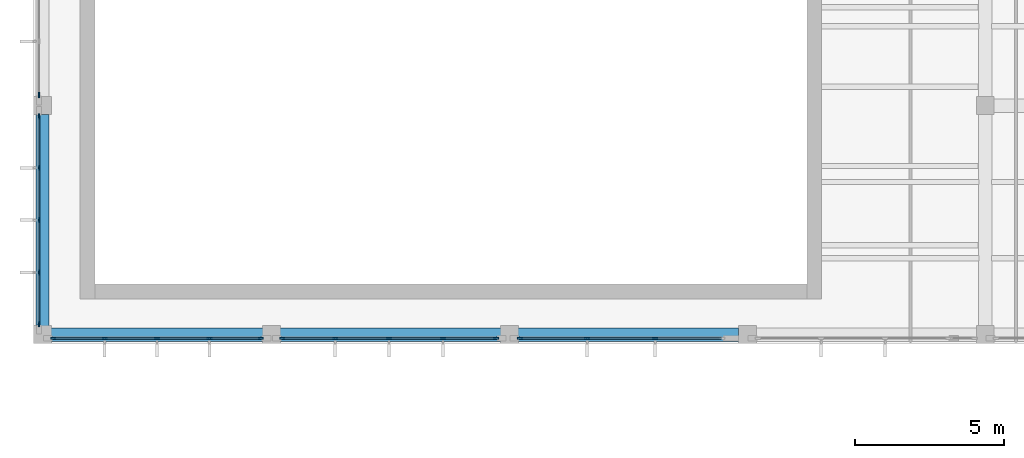
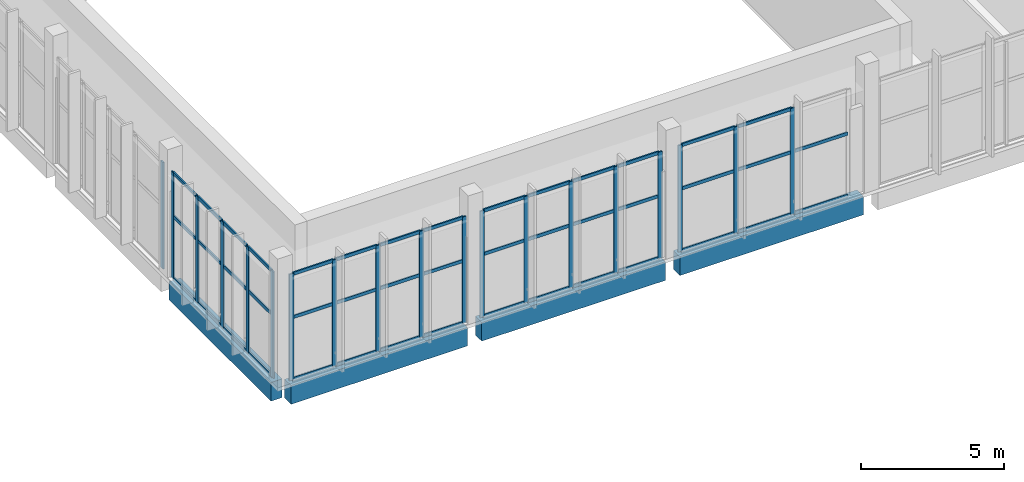
# One storey, part 4 of 112: 63 members, 4 beams, 5 elements without a shape of their own.
"""IFC4 building model written with IfcOpenShell, lengths in metres."""

from ifc_helpers import new_model, si_unit, direction, frame, origin, origin_2d, place, context, subcontext, project, spatial, rectangle, extrude, material, layer, layer_set, material_profile, profile_set, type_object, element, aggregate, save


model = new_model("IFC4")

# Units and contexts
model_context = context("Model", 3, precision=1e-05, world=origin(), true_north=direction((0.0, 1.0)))
body_context = subcontext(model_context, "Body", "Model", "MODEL_VIEW")
ifc_project = project(units=[si_unit("LENGTHUNIT", "METRE"), si_unit("AREAUNIT", "SQUARE_METRE"), si_unit("VOLUMEUNIT", "CUBIC_METRE"), si_unit("PLANEANGLEUNIT", "RADIAN"), si_unit("MASSUNIT", "GRAM", prefix="KILO")], contexts=[model_context])

# Site, building, storey
site_placement = place(None, origin())
site = spatial("IfcSite", under=ifc_project, at=site_placement, CompositionType="ELEMENT")
building_placement = place(site_placement, origin())
building = spatial("IfcBuilding", under=site, at=building_placement, Name="Lunette Opera House", CompositionType="ELEMENT")
storey_placement = place(building_placement, frame((0.0, 0.0, 6.0)))
storey = spatial("IfcBuildingStorey", under=building, at=storey_placement, Name="L01", CompositionType="ELEMENT", Elevation=6.0)

# Curtain wall, member
ifc_material_1 = material(Name="Aluminium", Category="aluminium")
ifc_layer = layer(ifc_material_1, 0.179931640625)
ifc_layer_set = layer_set([ifc_layer], Name="Aluminium")
curtain_wall_type = type_object("IfcCurtainWallType", Name="SUN FACE CURTAIN WALL", PredefinedType="NOTDEFINED", material=ifc_layer_set)
curtain_wall_1_placement = place(storey_placement, origin())
curtain_wall_1 = element("IfcCurtainWall", 1, at=curtain_wall_1_placement, inside=storey, type_object=curtain_wall_type, Name="Sun Face Curtain Wall F17 L01", PredefinedType="NOTDEFINED")
ifc_material_2 = material(Name="Aluminium", Category="aluminium")
ifc_material_profile_1 = material_profile(ifc_material_2, rectangle(XDim=0.06005859375, YDim=0.179931640625, at=origin_2d()), Name="MULLION 60 X 180")
ifc_profile_set_1 = profile_set([ifc_material_profile_1], Name="Aluminium")
member_type_1 = type_object("IfcMemberType", Name="MULLION 60 X 180", PredefinedType="MULLION", material=ifc_profile_set_1)
member_1_placement = place(storey_placement, frame((8.181884765625, 72.360107421875, 0.0), z_axis=(0.0, 0.0, 1.0), x_axis=(1.0, 0.0, 0.0)))
member_1 = element("IfcMember", 2, at=member_1_placement, type_object=member_type_1, Name="RW-X2019 mullion 5", PredefinedType="MULLION", context=body_context, shape_type="SweptSolid", body=[
    extrude(rectangle(XDim=0.06005859375, YDim=0.179931640625, at=origin_2d()), origin(), (0.0, 0.0, 1.0), 4.550048828125),
])
aggregate(curtain_wall_1, [member_1])

# Curtain wall, members
curtain_wall_2_placement = place(storey_placement, origin())
curtain_wall_2 = element("IfcCurtainWall", 3, at=curtain_wall_2_placement, inside=storey, type_object=curtain_wall_type, Name="Sun Face Curtain Wall F18 L01", PredefinedType="NOTDEFINED")
member_2_placement = place(storey_placement, frame((8.181884765625, 71.639892578125, 0.0), z_axis=(0.0, 0.0, 1.0), x_axis=(1.0, 0.0, 0.0)))
member_2 = element("IfcMember", 4, at=member_2_placement, type_object=member_type_1, Name="RW-X2020 mullion 1", PredefinedType="MULLION", context=body_context, shape_type="SweptSolid", body=[
    extrude(rectangle(XDim=0.06005859375, YDim=0.179931640625, at=origin_2d()), origin(), (0.0, 0.0, 1.0), 4.550048828125),
])
member_3_placement = place(storey_placement, frame((8.181884765625, 69.909912109375, 0.0), z_axis=(0.0, 0.0, 1.0), x_axis=(1.0, 0.0, 0.0)))
member_3 = element("IfcMember", 5, at=member_3_placement, type_object=member_type_1, Name="RW-X2020 mullion 2", PredefinedType="MULLION", context=body_context, shape_type="SweptSolid", body=[
    extrude(rectangle(XDim=0.06005859375, YDim=0.179931640625, at=origin_2d()), origin(), (0.0, 0.0, 1.0), 4.550048828125),
])
member_4_placement = place(storey_placement, frame((8.181884765625, 68.14990234375, 0.0), z_axis=(0.0, 0.0, 1.0), x_axis=(1.0, 0.0, 0.0)))
member_4 = element("IfcMember", 6, at=member_4_placement, type_object=member_type_1, Name="RW-X2020 mullion 3", PredefinedType="MULLION", context=body_context, shape_type="SweptSolid", body=[
    extrude(rectangle(XDim=0.06005859375, YDim=0.179931640625, at=origin_2d()), origin(), (0.0, 0.0, 1.0), 4.550048828125),
])
member_5_placement = place(storey_placement, frame((8.181884765625, 66.389892578125, 0.0), z_axis=(0.0, 0.0, 1.0), x_axis=(1.0, 0.0, 0.0)))
member_5 = element("IfcMember", 7, at=member_5_placement, type_object=member_type_1, Name="RW-X2020 mullion 4", PredefinedType="MULLION", context=body_context, shape_type="SweptSolid", body=[
    extrude(rectangle(XDim=0.06005859375, YDim=0.179931640625, at=origin_2d()), origin(), (0.0, 0.0, 1.0), 4.550048828125),
])
member_6_placement = place(storey_placement, frame((8.181884765625, 64.659912109375, 0.0), z_axis=(0.0, 0.0, 1.0), x_axis=(1.0, 0.0, 0.0)))
member_6 = element("IfcMember", 8, at=member_6_placement, type_object=member_type_1, Name="RW-X2020 mullion 5", PredefinedType="MULLION", context=body_context, shape_type="SweptSolid", body=[
    extrude(rectangle(XDim=0.06005859375, YDim=0.179931640625, at=origin_2d()), origin(), (0.0, 0.0, 1.0), 4.550048828125),
])

curtain_wall_3_placement = place(storey_placement, origin())
curtain_wall_3 = element("IfcCurtainWall", 9, at=curtain_wall_3_placement, inside=storey, type_object=curtain_wall_type, Name="Sun Face Curtain Wall F19 L01", PredefinedType="NOTDEFINED")
member_7_placement = place(storey_placement, frame((8.659912109375, 64.18310546875, 0.0), z_axis=(0.0, 0.0, 1.0), x_axis=(0.0, 1.0, 0.0)))
member_7 = element("IfcMember", 10, at=member_7_placement, type_object=member_type_1, Name="RW-X2021 mullion 1", PredefinedType="MULLION", context=body_context, shape_type="SweptSolid", body=[
    extrude(rectangle(XDim=0.06005859375, YDim=0.179931640625, at=origin_2d()), origin(), (0.0, 0.0, 1.0), 4.550048828125),
])
member_8_placement = place(storey_placement, frame((10.389892578125, 64.18310546875, 0.0), z_axis=(0.0, 0.0, 1.0), x_axis=(0.0, 1.0, 0.0)))
member_8 = element("IfcMember", 11, at=member_8_placement, type_object=member_type_1, Name="RW-X2021 mullion 2", PredefinedType="MULLION", context=body_context, shape_type="SweptSolid", body=[
    extrude(rectangle(XDim=0.06005859375, YDim=0.179931640625, at=origin_2d()), origin(), (0.0, 0.0, 1.0), 4.550048828125),
])
member_9_placement = place(storey_placement, frame((12.14990234375, 64.18310546875, 0.0), z_axis=(0.0, 0.0, 1.0), x_axis=(0.0, 1.0, 0.0)))
member_9 = element("IfcMember", 12, at=member_9_placement, type_object=member_type_1, Name="RW-X2021 mullion 3", PredefinedType="MULLION", context=body_context, shape_type="SweptSolid", body=[
    extrude(rectangle(XDim=0.06005859375, YDim=0.179931640625, at=origin_2d()), origin(), (0.0, 0.0, 1.0), 4.550048828125),
])
member_10_placement = place(storey_placement, frame((13.909912109375, 64.18310546875, 0.0), z_axis=(0.0, 0.0, 1.0), x_axis=(0.0, 1.0, 0.0)))
member_10 = element("IfcMember", 13, at=member_10_placement, type_object=member_type_1, Name="RW-X2021 mullion 4", PredefinedType="MULLION", context=body_context, shape_type="SweptSolid", body=[
    extrude(rectangle(XDim=0.06005859375, YDim=0.179931640625, at=origin_2d()), origin(), (0.0, 0.0, 1.0), 4.550048828125),
])
member_11_placement = place(storey_placement, frame((15.639892578125, 64.18310546875, 0.0), z_axis=(0.0, 0.0, 1.0), x_axis=(0.0, 1.0, 0.0)))
member_11 = element("IfcMember", 14, at=member_11_placement, type_object=member_type_1, Name="RW-X2021 mullion 5", PredefinedType="MULLION", context=body_context, shape_type="SweptSolid", body=[
    extrude(rectangle(XDim=0.06005859375, YDim=0.179931640625, at=origin_2d()), origin(), (0.0, 0.0, 1.0), 4.550048828125),
])

curtain_wall_4_placement = place(storey_placement, origin())
curtain_wall_4 = element("IfcCurtainWall", 15, at=curtain_wall_4_placement, inside=storey, type_object=curtain_wall_type, Name="Sun Face Curtain Wall F20 L01", PredefinedType="NOTDEFINED")
member_12_placement = place(storey_placement, frame((16.360107421875, 64.18310546875, 0.0), z_axis=(0.0, 0.0, 1.0), x_axis=(0.0, 1.0, 0.0)))
member_12 = element("IfcMember", 16, at=member_12_placement, type_object=member_type_1, Name="RW-X2022 mullion 1", PredefinedType="MULLION", context=body_context, shape_type="SweptSolid", body=[
    extrude(rectangle(XDim=0.06005859375, YDim=0.179931640625, at=origin_2d()), origin(), (0.0, 0.0, 1.0), 4.550048828125),
])
member_13_placement = place(storey_placement, frame((18.141845703125, 64.18310546875, 0.0), z_axis=(0.0, 0.0, 1.0), x_axis=(0.0, 1.0, 0.0)))
member_13 = element("IfcMember", 17, at=member_13_placement, type_object=member_type_1, Name="RW-X2022 mullion 2", PredefinedType="MULLION", context=body_context, shape_type="SweptSolid", body=[
    extrude(rectangle(XDim=0.06005859375, YDim=0.179931640625, at=origin_2d()), origin(), (0.0, 0.0, 1.0), 4.550048828125),
])
member_14_placement = place(storey_placement, frame((19.95361328125, 64.18310546875, 0.0), z_axis=(0.0, 0.0, 1.0), x_axis=(0.0, 1.0, 0.0)))
member_14 = element("IfcMember", 18, at=member_14_placement, type_object=member_type_1, Name="RW-X2022 mullion 3", PredefinedType="MULLION", context=body_context, shape_type="SweptSolid", body=[
    extrude(rectangle(XDim=0.06005859375, YDim=0.179931640625, at=origin_2d()), origin(), (0.0, 0.0, 1.0), 4.550048828125),
])
member_15_placement = place(storey_placement, frame((21.76513671875, 64.18310546875, 0.0), z_axis=(0.0, 0.0, 1.0), x_axis=(0.0, 1.0, 0.0)))
member_15 = element("IfcMember", 19, at=member_15_placement, type_object=member_type_1, Name="RW-X2022 mullion 4", PredefinedType="MULLION", context=body_context, shape_type="SweptSolid", body=[
    extrude(rectangle(XDim=0.06005859375, YDim=0.179931640625, at=origin_2d()), origin(), (0.0, 0.0, 1.0), 4.550048828125),
])
member_16_placement = place(storey_placement, frame((23.547119140625, 64.18310546875, 0.0), z_axis=(0.0, 0.0, 1.0), x_axis=(0.0, 1.0, 0.0)))
member_16 = element("IfcMember", 20, at=member_16_placement, type_object=member_type_1, Name="RW-X2022 mullion 5", PredefinedType="MULLION", context=body_context, shape_type="SweptSolid", body=[
    extrude(rectangle(XDim=0.06005859375, YDim=0.179931640625, at=origin_2d()), origin(), (0.0, 0.0, 1.0), 4.550048828125),
])

curtain_wall_5_placement = place(storey_placement, origin())
curtain_wall_5 = element("IfcCurtainWall", 21, at=curtain_wall_5_placement, inside=storey, type_object=curtain_wall_type, Name="Sun Face Curtain Wall F21 L01", PredefinedType="NOTDEFINED")
member_17_placement = place(storey_placement, frame((24.360107421875, 64.18310546875, 0.0), z_axis=(0.0, 0.0, 1.0), x_axis=(0.0, 1.0, 0.0)))
member_17 = element("IfcMember", 22, at=member_17_placement, type_object=member_type_1, Name="RW-X2023 mullion 1", PredefinedType="MULLION", context=body_context, shape_type="SweptSolid", body=[
    extrude(rectangle(XDim=0.06005859375, YDim=0.179931640625, at=origin_2d()), origin(), (0.0, 0.0, 1.0), 4.550048828125),
])
member_18_placement = place(storey_placement, frame((26.6142578125, 64.18310546875, 0.0), z_axis=(0.0, 0.0, 1.0), x_axis=(0.0, 1.0, 0.0)))
member_18 = element("IfcMember", 23, at=member_18_placement, type_object=member_type_1, Name="RW-X2023 mullion 2", PredefinedType="MULLION", context=body_context, shape_type="SweptSolid", body=[
    extrude(rectangle(XDim=0.06005859375, YDim=0.179931640625, at=origin_2d()), origin(), (0.0, 0.0, 1.0), 4.550048828125),
])
member_19_placement = place(storey_placement, frame((28.898681640625, 64.18310546875, 0.0), z_axis=(0.0, 0.0, 1.0), x_axis=(0.0, 1.0, 0.0)))
member_19 = element("IfcMember", 24, at=member_19_placement, type_object=member_type_1, Name="RW-X2023 mullion 3", PredefinedType="MULLION", context=body_context, shape_type="SweptSolid", body=[
    extrude(rectangle(XDim=0.06005859375, YDim=0.179931640625, at=origin_2d()), origin(), (0.0, 0.0, 1.0), 4.550048828125),
])

# Beams
ifc_material_3 = material(Name="Concrete C35/45", Category="concrete")
ifc_material_profile_2 = material_profile(ifc_material_3, rectangle(XDim=0.449951171875, YDim=0.800048828125, at=origin_2d()), Name="RC BEAM 450X800")
ifc_profile_set_2 = profile_set([ifc_material_profile_2], Name="Concrete C35/45")
beam_type = type_object("IfcBeamType", Name="RC BEAM 450X800", PredefinedType="BEAM", material=ifc_profile_set_2)
for number, where, z_axis, x_axis, name in (
    (25, (8.300048828125, 64.590087890625, -0.550048828125), (0.0, 1.0, 0.0), (-1.0, 0.0, 0.0), "beam-RW-L01-L01-GY00"),
    (26, (8.590087890625, 64.300048828125, -0.550048828125), (1.0, 0.0, 0.0), (0.0, 1.0, 0.0), "beam-RW-L01-L01-GX00"),
):
    element("IfcBeam", number, at=place(storey_placement, frame(where, z_axis=z_axis, x_axis=x_axis)), inside=storey, type_object=beam_type, Name=name, PredefinedType="BEAM", context=body_context, shape_type="SweptSolid", body=[
        extrude(rectangle(XDim=0.449951171875, YDim=0.800048828125, at=origin_2d()), origin(), (0.0, 0.0, 1.0), 7.119873046875),
    ])
for number, where, z_axis, x_axis, name in (
    (27, (16.2900390625, 64.300048828125, -0.550048828125), (1.0, 0.0, 0.0), (0.0, 1.0, 0.0), "beam-RW-L01-L01-GX10"),
    (28, (24.2900390625, 64.300048828125, -0.550048828125), (1.0, 0.0, 0.0), (0.0, 1.0, 0.0), "beam-RW-L01-L01-GX20"),
):
    element("IfcBeam", number, at=place(storey_placement, frame(where, z_axis=z_axis, x_axis=x_axis)), inside=storey, type_object=beam_type, Name=name, PredefinedType="BEAM", context=body_context, shape_type="SweptSolid", body=[
        extrude(rectangle(XDim=0.449951171875, YDim=0.800048828125, at=origin_2d()), origin(), (0.0, 0.0, 1.0), 7.419921875),
    ])

# Member
ifc_material_4 = material(Name="Aluminium", Category="aluminium")
ifc_material_profile_3 = material_profile(ifc_material_4, rectangle(XDim=0.06005859375, YDim=0.139892578125, at=origin_2d()), Name="TRANSOM 60 X 140")
ifc_profile_set_3 = profile_set([ifc_material_profile_3], Name="Aluminium")
member_type_2 = type_object("IfcMemberType", Name="TRANSOM 60 X 140", PredefinedType="USERDEFINED", material=ifc_profile_set_3)
member_20_placement = place(storey_placement, frame((8.181884765625, 71.610107421875, 0.030029296875), z_axis=(0.0, -1.0, 0.0), x_axis=(1.0, 0.0, 0.0)))
member_20 = element("IfcMember", 29, at=member_20_placement, type_object=member_type_2, Name="RW-X2020 transom 1.1", ObjectType="TRANSOM", PredefinedType="USERDEFINED", context=body_context, shape_type="SweptSolid", body=[
    extrude(rectangle(XDim=0.06005859375, YDim=0.139892578125, at=origin_2d()), origin(), (0.0, 0.0, 1.0), 1.670166015625),
])

member_21_placement = place(storey_placement, frame((8.181884765625, 71.610107421875, 2.675048828125), z_axis=(0.0, -1.0, 0.0), x_axis=(1.0, 0.0, 0.0)))
member_21 = element("IfcMember", 30, at=member_21_placement, type_object=member_type_2, Name="RW-X2020 transom 1.2", ObjectType="TRANSOM", PredefinedType="USERDEFINED", context=body_context, shape_type="SweptSolid", body=[
    extrude(rectangle(XDim=0.06005859375, YDim=0.139892578125, at=origin_2d()), origin(), (0.0, 0.0, 1.0), 1.670166015625),
])

member_22_placement = place(storey_placement, frame((8.181884765625, 71.610107421875, 4.52001953125), z_axis=(0.0, -1.0, 0.0), x_axis=(1.0, 0.0, 0.0)))
member_22 = element("IfcMember", 31, at=member_22_placement, type_object=member_type_2, Name="RW-X2020 transom 1.3", ObjectType="TRANSOM", PredefinedType="USERDEFINED", context=body_context, shape_type="SweptSolid", body=[
    extrude(rectangle(XDim=0.06005859375, YDim=0.139892578125, at=origin_2d()), origin(), (0.0, 0.0, 1.0), 1.670166015625),
])

member_23_placement = place(storey_placement, frame((8.181884765625, 69.8798828125, 0.030029296875), z_axis=(0.0, -1.0, 0.0), x_axis=(1.0, 0.0, 0.0)))
member_23 = element("IfcMember", 32, at=member_23_placement, type_object=member_type_2, Name="RW-X2020 transom 2.1", ObjectType="TRANSOM", PredefinedType="USERDEFINED", context=body_context, shape_type="SweptSolid", body=[
    extrude(rectangle(XDim=0.06005859375, YDim=0.139892578125, at=origin_2d()), origin(), (0.0, 0.0, 1.0), 1.699951171875),
])

member_24_placement = place(storey_placement, frame((8.181884765625, 69.8798828125, 2.675048828125), z_axis=(0.0, -1.0, 0.0), x_axis=(1.0, 0.0, 0.0)))
member_24 = element("IfcMember", 33, at=member_24_placement, type_object=member_type_2, Name="RW-X2020 transom 2.2", ObjectType="TRANSOM", PredefinedType="USERDEFINED", context=body_context, shape_type="SweptSolid", body=[
    extrude(rectangle(XDim=0.06005859375, YDim=0.139892578125, at=origin_2d()), origin(), (0.0, 0.0, 1.0), 1.699951171875),
])

member_25_placement = place(storey_placement, frame((8.181884765625, 69.8798828125, 4.52001953125), z_axis=(0.0, -1.0, 0.0), x_axis=(1.0, 0.0, 0.0)))
member_25 = element("IfcMember", 34, at=member_25_placement, type_object=member_type_2, Name="RW-X2020 transom 2.3", ObjectType="TRANSOM", PredefinedType="USERDEFINED", context=body_context, shape_type="SweptSolid", body=[
    extrude(rectangle(XDim=0.06005859375, YDim=0.139892578125, at=origin_2d()), origin(), (0.0, 0.0, 1.0), 1.699951171875),
])

member_26_placement = place(storey_placement, frame((8.181884765625, 68.1201171875, 0.030029296875), z_axis=(0.0, -1.0, 0.0), x_axis=(1.0, 0.0, 0.0)))
member_26 = element("IfcMember", 35, at=member_26_placement, type_object=member_type_2, Name="RW-X2020 transom 3.1", ObjectType="TRANSOM", PredefinedType="USERDEFINED", context=body_context, shape_type="SweptSolid", body=[
    extrude(rectangle(XDim=0.06005859375, YDim=0.139892578125, at=origin_2d()), origin(), (0.0, 0.0, 1.0), 1.7001953125),
])

member_27_placement = place(storey_placement, frame((8.181884765625, 68.1201171875, 2.675048828125), z_axis=(0.0, -1.0, 0.0), x_axis=(1.0, 0.0, 0.0)))
member_27 = element("IfcMember", 36, at=member_27_placement, type_object=member_type_2, Name="RW-X2020 transom 3.2", ObjectType="TRANSOM", PredefinedType="USERDEFINED", context=body_context, shape_type="SweptSolid", body=[
    extrude(rectangle(XDim=0.06005859375, YDim=0.139892578125, at=origin_2d()), origin(), (0.0, 0.0, 1.0), 1.7001953125),
])

member_28_placement = place(storey_placement, frame((8.181884765625, 68.1201171875, 4.52001953125), z_axis=(0.0, -1.0, 0.0), x_axis=(1.0, 0.0, 0.0)))
member_28 = element("IfcMember", 37, at=member_28_placement, type_object=member_type_2, Name="RW-X2020 transom 3.3", ObjectType="TRANSOM", PredefinedType="USERDEFINED", context=body_context, shape_type="SweptSolid", body=[
    extrude(rectangle(XDim=0.06005859375, YDim=0.139892578125, at=origin_2d()), origin(), (0.0, 0.0, 1.0), 1.7001953125),
])

member_29_placement = place(storey_placement, frame((8.181884765625, 66.360107421875, 0.030029296875), z_axis=(0.0, -1.0, 0.0), x_axis=(1.0, 0.0, 0.0)))
member_29 = element("IfcMember", 38, at=member_29_placement, type_object=member_type_2, Name="RW-X2020 transom 4.1", ObjectType="TRANSOM", PredefinedType="USERDEFINED", context=body_context, shape_type="SweptSolid", body=[
    extrude(rectangle(XDim=0.06005859375, YDim=0.139892578125, at=origin_2d()), origin(), (0.0, 0.0, 1.0), 1.670166015625),
])

member_30_placement = place(storey_placement, frame((8.181884765625, 66.360107421875, 2.675048828125), z_axis=(0.0, -1.0, 0.0), x_axis=(1.0, 0.0, 0.0)))
member_30 = element("IfcMember", 39, at=member_30_placement, type_object=member_type_2, Name="RW-X2020 transom 4.2", ObjectType="TRANSOM", PredefinedType="USERDEFINED", context=body_context, shape_type="SweptSolid", body=[
    extrude(rectangle(XDim=0.06005859375, YDim=0.139892578125, at=origin_2d()), origin(), (0.0, 0.0, 1.0), 1.670166015625),
])

member_31_placement = place(storey_placement, frame((8.181884765625, 66.360107421875, 4.52001953125), z_axis=(0.0, -1.0, 0.0), x_axis=(1.0, 0.0, 0.0)))
member_31 = element("IfcMember", 40, at=member_31_placement, type_object=member_type_2, Name="RW-X2020 transom 4.3", ObjectType="TRANSOM", PredefinedType="USERDEFINED", context=body_context, shape_type="SweptSolid", body=[
    extrude(rectangle(XDim=0.06005859375, YDim=0.139892578125, at=origin_2d()), origin(), (0.0, 0.0, 1.0), 1.670166015625),
])

aggregate(curtain_wall_2, [member_2, member_3, member_4, member_5, member_6, member_20, member_21, member_22, member_23, member_24, member_25, member_26, member_27, member_28, member_29, member_30, member_31])

member_32_placement = place(storey_placement, frame((8.68994140625, 64.18310546875, 0.030029296875), z_axis=(1.0, 0.0, 0.0), x_axis=(0.0, 1.0, 0.0)))
member_32 = element("IfcMember", 41, at=member_32_placement, type_object=member_type_2, Name="RW-X2021 transom 1.1", ObjectType="TRANSOM", PredefinedType="USERDEFINED", context=body_context, shape_type="SweptSolid", body=[
    extrude(rectangle(XDim=0.06005859375, YDim=0.139892578125, at=origin_2d()), origin(), (0.0, 0.0, 1.0), 1.670166015625),
])

member_33_placement = place(storey_placement, frame((8.68994140625, 64.18310546875, 2.675048828125), z_axis=(1.0, 0.0, 0.0), x_axis=(0.0, 1.0, 0.0)))
member_33 = element("IfcMember", 42, at=member_33_placement, type_object=member_type_2, Name="RW-X2021 transom 1.2", ObjectType="TRANSOM", PredefinedType="USERDEFINED", context=body_context, shape_type="SweptSolid", body=[
    extrude(rectangle(XDim=0.06005859375, YDim=0.139892578125, at=origin_2d()), origin(), (0.0, 0.0, 1.0), 1.670166015625),
])

member_34_placement = place(storey_placement, frame((8.68994140625, 64.18310546875, 4.52001953125), z_axis=(1.0, 0.0, 0.0), x_axis=(0.0, 1.0, 0.0)))
member_34 = element("IfcMember", 43, at=member_34_placement, type_object=member_type_2, Name="RW-X2021 transom 1.3", ObjectType="TRANSOM", PredefinedType="USERDEFINED", context=body_context, shape_type="SweptSolid", body=[
    extrude(rectangle(XDim=0.06005859375, YDim=0.139892578125, at=origin_2d()), origin(), (0.0, 0.0, 1.0), 1.670166015625),
])

member_35_placement = place(storey_placement, frame((10.419921875, 64.18310546875, 0.030029296875), z_axis=(1.0, 0.0, 0.0), x_axis=(0.0, 1.0, 0.0)))
member_35 = element("IfcMember", 44, at=member_35_placement, type_object=member_type_2, Name="RW-X2021 transom 2.1", ObjectType="TRANSOM", PredefinedType="USERDEFINED", context=body_context, shape_type="SweptSolid", body=[
    extrude(rectangle(XDim=0.06005859375, YDim=0.139892578125, at=origin_2d()), origin(), (0.0, 0.0, 1.0), 1.7001953125),
])

member_36_placement = place(storey_placement, frame((10.419921875, 64.18310546875, 2.675048828125), z_axis=(1.0, 0.0, 0.0), x_axis=(0.0, 1.0, 0.0)))
member_36 = element("IfcMember", 45, at=member_36_placement, type_object=member_type_2, Name="RW-X2021 transom 2.2", ObjectType="TRANSOM", PredefinedType="USERDEFINED", context=body_context, shape_type="SweptSolid", body=[
    extrude(rectangle(XDim=0.06005859375, YDim=0.139892578125, at=origin_2d()), origin(), (0.0, 0.0, 1.0), 1.7001953125),
])

member_37_placement = place(storey_placement, frame((10.419921875, 64.18310546875, 4.52001953125), z_axis=(1.0, 0.0, 0.0), x_axis=(0.0, 1.0, 0.0)))
member_37 = element("IfcMember", 46, at=member_37_placement, type_object=member_type_2, Name="RW-X2021 transom 2.3", ObjectType="TRANSOM", PredefinedType="USERDEFINED", context=body_context, shape_type="SweptSolid", body=[
    extrude(rectangle(XDim=0.06005859375, YDim=0.139892578125, at=origin_2d()), origin(), (0.0, 0.0, 1.0), 1.7001953125),
])

member_38_placement = place(storey_placement, frame((12.179931640625, 64.18310546875, 0.030029296875), z_axis=(1.0, 0.0, 0.0), x_axis=(0.0, 1.0, 0.0)))
member_38 = element("IfcMember", 47, at=member_38_placement, type_object=member_type_2, Name="RW-X2021 transom 3.1", ObjectType="TRANSOM", PredefinedType="USERDEFINED", context=body_context, shape_type="SweptSolid", body=[
    extrude(rectangle(XDim=0.06005859375, YDim=0.139892578125, at=origin_2d()), origin(), (0.0, 0.0, 1.0), 1.699951171875),
])

member_39_placement = place(storey_placement, frame((12.179931640625, 64.18310546875, 2.675048828125), z_axis=(1.0, 0.0, 0.0), x_axis=(0.0, 1.0, 0.0)))
member_39 = element("IfcMember", 48, at=member_39_placement, type_object=member_type_2, Name="RW-X2021 transom 3.2", ObjectType="TRANSOM", PredefinedType="USERDEFINED", context=body_context, shape_type="SweptSolid", body=[
    extrude(rectangle(XDim=0.06005859375, YDim=0.139892578125, at=origin_2d()), origin(), (0.0, 0.0, 1.0), 1.699951171875),
])

member_40_placement = place(storey_placement, frame((12.179931640625, 64.18310546875, 4.52001953125), z_axis=(1.0, 0.0, 0.0), x_axis=(0.0, 1.0, 0.0)))
member_40 = element("IfcMember", 49, at=member_40_placement, type_object=member_type_2, Name="RW-X2021 transom 3.3", ObjectType="TRANSOM", PredefinedType="USERDEFINED", context=body_context, shape_type="SweptSolid", body=[
    extrude(rectangle(XDim=0.06005859375, YDim=0.139892578125, at=origin_2d()), origin(), (0.0, 0.0, 1.0), 1.699951171875),
])

member_41_placement = place(storey_placement, frame((13.93994140625, 64.18310546875, 0.030029296875), z_axis=(1.0, 0.0, 0.0), x_axis=(0.0, 1.0, 0.0)))
member_41 = element("IfcMember", 50, at=member_41_placement, type_object=member_type_2, Name="RW-X2021 transom 4.1", ObjectType="TRANSOM", PredefinedType="USERDEFINED", context=body_context, shape_type="SweptSolid", body=[
    extrude(rectangle(XDim=0.06005859375, YDim=0.139892578125, at=origin_2d()), origin(), (0.0, 0.0, 1.0), 1.670166015625),
])

member_42_placement = place(storey_placement, frame((13.93994140625, 64.18310546875, 2.675048828125), z_axis=(1.0, 0.0, 0.0), x_axis=(0.0, 1.0, 0.0)))
member_42 = element("IfcMember", 51, at=member_42_placement, type_object=member_type_2, Name="RW-X2021 transom 4.2", ObjectType="TRANSOM", PredefinedType="USERDEFINED", context=body_context, shape_type="SweptSolid", body=[
    extrude(rectangle(XDim=0.06005859375, YDim=0.139892578125, at=origin_2d()), origin(), (0.0, 0.0, 1.0), 1.670166015625),
])

member_43_placement = place(storey_placement, frame((13.93994140625, 64.18310546875, 4.52001953125), z_axis=(1.0, 0.0, 0.0), x_axis=(0.0, 1.0, 0.0)))
member_43 = element("IfcMember", 52, at=member_43_placement, type_object=member_type_2, Name="RW-X2021 transom 4.3", ObjectType="TRANSOM", PredefinedType="USERDEFINED", context=body_context, shape_type="SweptSolid", body=[
    extrude(rectangle(XDim=0.06005859375, YDim=0.139892578125, at=origin_2d()), origin(), (0.0, 0.0, 1.0), 1.670166015625),
])

aggregate(curtain_wall_3, [member_7, member_8, member_9, member_10, member_11, member_32, member_33, member_34, member_35, member_36, member_37, member_38, member_39, member_40, member_41, member_42, member_43])

member_44_placement = place(storey_placement, frame((16.389892578125, 64.18310546875, 0.030029296875), z_axis=(1.0, 0.0, 0.0), x_axis=(0.0, 1.0, 0.0)))
member_44 = element("IfcMember", 53, at=member_44_placement, type_object=member_type_2, Name="RW-X2022 transom 1.1", ObjectType="TRANSOM", PredefinedType="USERDEFINED", context=body_context, shape_type="SweptSolid", body=[
    extrude(rectangle(XDim=0.06005859375, YDim=0.139892578125, at=origin_2d()), origin(), (0.0, 0.0, 1.0), 1.721923828125),
])

member_45_placement = place(storey_placement, frame((16.389892578125, 64.18310546875, 2.675048828125), z_axis=(1.0, 0.0, 0.0), x_axis=(0.0, 1.0, 0.0)))
member_45 = element("IfcMember", 54, at=member_45_placement, type_object=member_type_2, Name="RW-X2022 transom 1.2", ObjectType="TRANSOM", PredefinedType="USERDEFINED", context=body_context, shape_type="SweptSolid", body=[
    extrude(rectangle(XDim=0.06005859375, YDim=0.139892578125, at=origin_2d()), origin(), (0.0, 0.0, 1.0), 1.721923828125),
])

member_46_placement = place(storey_placement, frame((16.389892578125, 64.18310546875, 4.52001953125), z_axis=(1.0, 0.0, 0.0), x_axis=(0.0, 1.0, 0.0)))
member_46 = element("IfcMember", 55, at=member_46_placement, type_object=member_type_2, Name="RW-X2022 transom 1.3", ObjectType="TRANSOM", PredefinedType="USERDEFINED", context=body_context, shape_type="SweptSolid", body=[
    extrude(rectangle(XDim=0.06005859375, YDim=0.139892578125, at=origin_2d()), origin(), (0.0, 0.0, 1.0), 1.721923828125),
])

member_47_placement = place(storey_placement, frame((18.171630859375, 64.18310546875, 0.030029296875), z_axis=(1.0, 0.0, 0.0), x_axis=(0.0, 1.0, 0.0)))
member_47 = element("IfcMember", 56, at=member_47_placement, type_object=member_type_2, Name="RW-X2022 transom 2.1", ObjectType="TRANSOM", PredefinedType="USERDEFINED", context=body_context, shape_type="SweptSolid", body=[
    extrude(rectangle(XDim=0.06005859375, YDim=0.139892578125, at=origin_2d()), origin(), (0.0, 0.0, 1.0), 1.751953125),
])

member_48_placement = place(storey_placement, frame((18.171630859375, 64.18310546875, 2.675048828125), z_axis=(1.0, 0.0, 0.0), x_axis=(0.0, 1.0, 0.0)))
member_48 = element("IfcMember", 57, at=member_48_placement, type_object=member_type_2, Name="RW-X2022 transom 2.2", ObjectType="TRANSOM", PredefinedType="USERDEFINED", context=body_context, shape_type="SweptSolid", body=[
    extrude(rectangle(XDim=0.06005859375, YDim=0.139892578125, at=origin_2d()), origin(), (0.0, 0.0, 1.0), 1.751953125),
])

member_49_placement = place(storey_placement, frame((18.171630859375, 64.18310546875, 4.52001953125), z_axis=(1.0, 0.0, 0.0), x_axis=(0.0, 1.0, 0.0)))
member_49 = element("IfcMember", 58, at=member_49_placement, type_object=member_type_2, Name="RW-X2022 transom 2.3", ObjectType="TRANSOM", PredefinedType="USERDEFINED", context=body_context, shape_type="SweptSolid", body=[
    extrude(rectangle(XDim=0.06005859375, YDim=0.139892578125, at=origin_2d()), origin(), (0.0, 0.0, 1.0), 1.751953125),
])

member_50_placement = place(storey_placement, frame((19.9833984375, 64.18310546875, 0.030029296875), z_axis=(1.0, 0.0, 0.0), x_axis=(0.0, 1.0, 0.0)))
member_50 = element("IfcMember", 59, at=member_50_placement, type_object=member_type_2, Name="RW-X2022 transom 3.1", ObjectType="TRANSOM", PredefinedType="USERDEFINED", context=body_context, shape_type="SweptSolid", body=[
    extrude(rectangle(XDim=0.06005859375, YDim=0.139892578125, at=origin_2d()), origin(), (0.0, 0.0, 1.0), 1.751953125),
])

member_51_placement = place(storey_placement, frame((19.9833984375, 64.18310546875, 2.675048828125), z_axis=(1.0, 0.0, 0.0), x_axis=(0.0, 1.0, 0.0)))
member_51 = element("IfcMember", 60, at=member_51_placement, type_object=member_type_2, Name="RW-X2022 transom 3.2", ObjectType="TRANSOM", PredefinedType="USERDEFINED", context=body_context, shape_type="SweptSolid", body=[
    extrude(rectangle(XDim=0.06005859375, YDim=0.139892578125, at=origin_2d()), origin(), (0.0, 0.0, 1.0), 1.751953125),
])

member_52_placement = place(storey_placement, frame((19.9833984375, 64.18310546875, 4.52001953125), z_axis=(1.0, 0.0, 0.0), x_axis=(0.0, 1.0, 0.0)))
member_52 = element("IfcMember", 61, at=member_52_placement, type_object=member_type_2, Name="RW-X2022 transom 3.3", ObjectType="TRANSOM", PredefinedType="USERDEFINED", context=body_context, shape_type="SweptSolid", body=[
    extrude(rectangle(XDim=0.06005859375, YDim=0.139892578125, at=origin_2d()), origin(), (0.0, 0.0, 1.0), 1.751953125),
])

member_53_placement = place(storey_placement, frame((21.795166015625, 64.18310546875, 0.030029296875), z_axis=(1.0, 0.0, 0.0), x_axis=(0.0, 1.0, 0.0)))
member_53 = element("IfcMember", 62, at=member_53_placement, type_object=member_type_2, Name="RW-X2022 transom 4.1", ObjectType="TRANSOM", PredefinedType="USERDEFINED", context=body_context, shape_type="SweptSolid", body=[
    extrude(rectangle(XDim=0.06005859375, YDim=0.139892578125, at=origin_2d()), origin(), (0.0, 0.0, 1.0), 1.721923828125),
])

member_54_placement = place(storey_placement, frame((21.795166015625, 64.18310546875, 2.675048828125), z_axis=(1.0, 0.0, 0.0), x_axis=(0.0, 1.0, 0.0)))
member_54 = element("IfcMember", 63, at=member_54_placement, type_object=member_type_2, Name="RW-X2022 transom 4.2", ObjectType="TRANSOM", PredefinedType="USERDEFINED", context=body_context, shape_type="SweptSolid", body=[
    extrude(rectangle(XDim=0.06005859375, YDim=0.139892578125, at=origin_2d()), origin(), (0.0, 0.0, 1.0), 1.721923828125),
])

member_55_placement = place(storey_placement, frame((21.795166015625, 64.18310546875, 4.52001953125), z_axis=(1.0, 0.0, 0.0), x_axis=(0.0, 1.0, 0.0)))
member_55 = element("IfcMember", 64, at=member_55_placement, type_object=member_type_2, Name="RW-X2022 transom 4.3", ObjectType="TRANSOM", PredefinedType="USERDEFINED", context=body_context, shape_type="SweptSolid", body=[
    extrude(rectangle(XDim=0.06005859375, YDim=0.139892578125, at=origin_2d()), origin(), (0.0, 0.0, 1.0), 1.721923828125),
])

aggregate(curtain_wall_4, [member_12, member_13, member_14, member_15, member_16, member_44, member_45, member_46, member_47, member_48, member_49, member_50, member_51, member_52, member_53, member_54, member_55])

member_56_placement = place(storey_placement, frame((24.389892578125, 64.18310546875, 0.030029296875), z_axis=(1.0, 0.0, 0.0), x_axis=(0.0, 1.0, 0.0)))
member_56 = element("IfcMember", 65, at=member_56_placement, type_object=member_type_2, Name="RW-X2023 transom 1.1", ObjectType="TRANSOM", PredefinedType="USERDEFINED", context=body_context, shape_type="SweptSolid", body=[
    extrude(rectangle(XDim=0.06005859375, YDim=0.139892578125, at=origin_2d()), origin(), (0.0, 0.0, 1.0), 2.1943359375),
])

member_57_placement = place(storey_placement, frame((24.389892578125, 64.18310546875, 2.675048828125), z_axis=(1.0, 0.0, 0.0), x_axis=(0.0, 1.0, 0.0)))
member_57 = element("IfcMember", 66, at=member_57_placement, type_object=member_type_2, Name="RW-X2023 transom 1.2", ObjectType="TRANSOM", PredefinedType="USERDEFINED", context=body_context, shape_type="SweptSolid", body=[
    extrude(rectangle(XDim=0.06005859375, YDim=0.139892578125, at=origin_2d()), origin(), (0.0, 0.0, 1.0), 2.1943359375),
])

member_58_placement = place(storey_placement, frame((24.389892578125, 64.18310546875, 4.52001953125), z_axis=(1.0, 0.0, 0.0), x_axis=(0.0, 1.0, 0.0)))
member_58 = element("IfcMember", 67, at=member_58_placement, type_object=member_type_2, Name="RW-X2023 transom 1.3", ObjectType="TRANSOM", PredefinedType="USERDEFINED", context=body_context, shape_type="SweptSolid", body=[
    extrude(rectangle(XDim=0.06005859375, YDim=0.139892578125, at=origin_2d()), origin(), (0.0, 0.0, 1.0), 2.1943359375),
])

member_59_placement = place(storey_placement, frame((26.644287109375, 64.18310546875, 0.030029296875), z_axis=(1.0, 0.0, 0.0), x_axis=(0.0, 1.0, 0.0)))
member_59 = element("IfcMember", 68, at=member_59_placement, type_object=member_type_2, Name="RW-X2023 transom 2.1", ObjectType="TRANSOM", PredefinedType="USERDEFINED", context=body_context, shape_type="SweptSolid", body=[
    extrude(rectangle(XDim=0.06005859375, YDim=0.139892578125, at=origin_2d()), origin(), (0.0, 0.0, 1.0), 2.224365234375),
])

member_60_placement = place(storey_placement, frame((26.644287109375, 64.18310546875, 2.675048828125), z_axis=(1.0, 0.0, 0.0), x_axis=(0.0, 1.0, 0.0)))
member_60 = element("IfcMember", 69, at=member_60_placement, type_object=member_type_2, Name="RW-X2023 transom 2.2", ObjectType="TRANSOM", PredefinedType="USERDEFINED", context=body_context, shape_type="SweptSolid", body=[
    extrude(rectangle(XDim=0.06005859375, YDim=0.139892578125, at=origin_2d()), origin(), (0.0, 0.0, 1.0), 2.224365234375),
])

member_61_placement = place(storey_placement, frame((26.644287109375, 64.18310546875, 4.52001953125), z_axis=(1.0, 0.0, 0.0), x_axis=(0.0, 1.0, 0.0)))
member_61 = element("IfcMember", 70, at=member_61_placement, type_object=member_type_2, Name="RW-X2023 transom 2.3", ObjectType="TRANSOM", PredefinedType="USERDEFINED", context=body_context, shape_type="SweptSolid", body=[
    extrude(rectangle(XDim=0.06005859375, YDim=0.139892578125, at=origin_2d()), origin(), (0.0, 0.0, 1.0), 2.224365234375),
])

member_62_placement = place(storey_placement, frame((28.9287109375, 64.18310546875, 0.030029296875), z_axis=(1.0, 0.0, 0.0), x_axis=(0.0, 1.0, 0.0)))
member_62 = element("IfcMember", 71, at=member_62_placement, type_object=member_type_2, Name="RW-X2023 transom 3.1", ObjectType="TRANSOM", PredefinedType="USERDEFINED", context=body_context, shape_type="SweptSolid", body=[
    extrude(rectangle(XDim=0.06005859375, YDim=0.139892578125, at=origin_2d()), origin(), (0.0, 0.0, 1.0), 2.1943359375),
])

member_63_placement = place(storey_placement, frame((28.9287109375, 64.18310546875, 2.675048828125), z_axis=(1.0, 0.0, 0.0), x_axis=(0.0, 1.0, 0.0)))
member_63 = element("IfcMember", 72, at=member_63_placement, type_object=member_type_2, Name="RW-X2023 transom 3.2", ObjectType="TRANSOM", PredefinedType="USERDEFINED", context=body_context, shape_type="SweptSolid", body=[
    extrude(rectangle(XDim=0.06005859375, YDim=0.139892578125, at=origin_2d()), origin(), (0.0, 0.0, 1.0), 2.1943359375),
])

aggregate(curtain_wall_5, [member_17, member_18, member_19, member_56, member_57, member_58, member_59, member_60, member_61, member_62, member_63])

save(model, "model.ifc")
